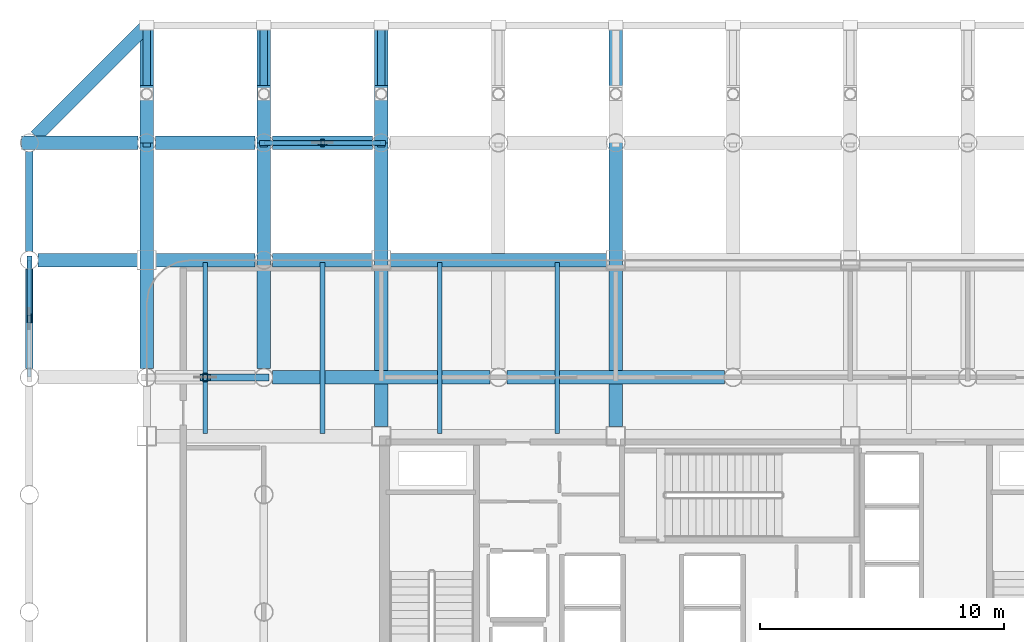
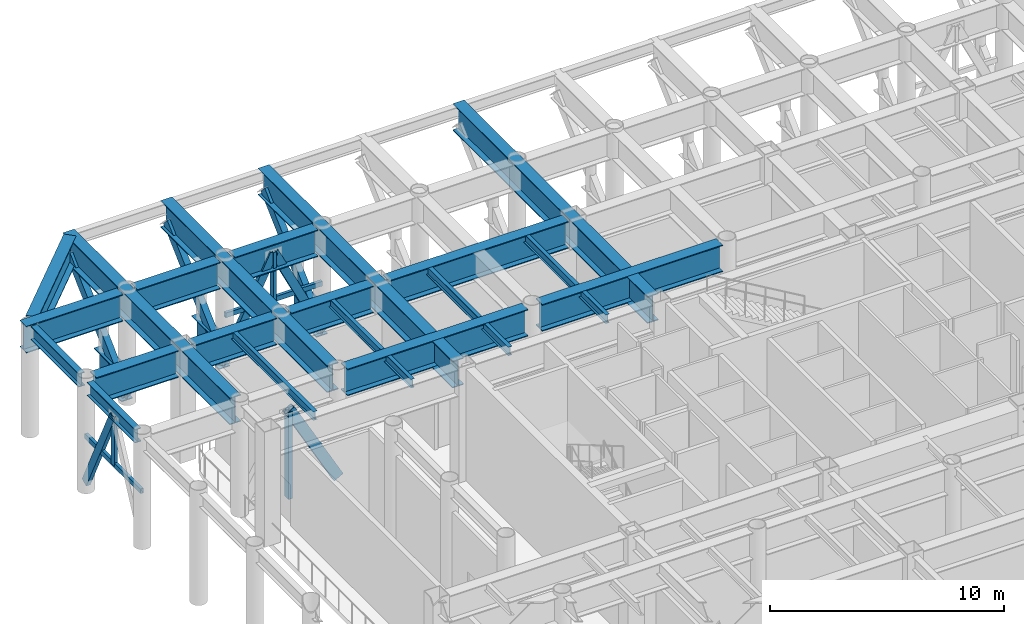
# One storey, part 8 of 19: 23 beams, 12 members.
"""IFC4 building model written with IfcOpenShell, lengths in metres."""

import ifcopenshell
import ifcopenshell.guid

model = None  # the IFC model being written
_history = None  # IfcOwnerHistory: only IFC2X3 demands one
_inside = {}  # id of a spatial element -> (the spatial element, [elements in it])
_under = {}  # id of a project, library or spatial element -> (it, [spatial elements below it])
_declared = {}  # id of a project -> (the project, [libraries it declares])
_typed = {}  # id of a type object -> (the type object, [elements of that type])
_made_of = {}  # id of a material, layer set ... -> (it, [elements and type objects made of it])


def new_model(schema):
    """Start an empty IFC model of exactly this schema.

    Asked for "IFC4X3", IfcOpenShell would pick the latest addendum, in which some entities
    have other attributes; the version numbers below select the first issue.
    IFC2X3 requires an IfcOwnerHistory on every rooted entity: one is made here for all.
    """
    global model, _history
    if schema == "IFC4X3":
        model = ifcopenshell.file(schema_version=(4, 3, 0, 0))
    else:
        model = ifcopenshell.file(schema=schema)
    _inside.clear()
    _under.clear()
    _declared.clear()
    _typed.clear()
    _made_of.clear()
    _history = None
    if model.schema == "IFC2X3":
        org = make("IfcOrganization", Name="unknown")
        user = make(
            "IfcPersonAndOrganization",
            ThePerson=make("IfcPerson", FamilyName="unknown"),
            TheOrganization=org,
        )
        app = make(
            "IfcApplication",
            ApplicationDeveloper=org,
            Version="unknown",
            ApplicationFullName="unknown",
            ApplicationIdentifier="unknown",
        )
        _history = make(
            "IfcOwnerHistory",
            OwningUser=user,
            OwningApplication=app,
            ChangeAction="ADDED",
            CreationDate=0,
        )
    return model


def make(cls, **values):
    """One entity of the class cls with the attributes given. An attribute that is None is left unset."""
    return model.create_entity(
        cls, **{name: value for name, value in values.items() if value is not None}
    )


def rooted(cls, **values):
    """An entity with a GlobalId (a new one), such as an element, a storey or a relation."""
    return make(cls, GlobalId=ifcopenshell.guid.new(), OwnerHistory=_history, **values)


def si_unit(unit_type, name, prefix=None):
    """IfcSIUnit, for example si_unit("LENGTHUNIT", "METRE", prefix="MILLI")."""
    return make("IfcSIUnit", UnitType=unit_type, Prefix=prefix, Name=name)


def assignment(units):
    """IfcUnitAssignment: the units of a project."""
    return None if units is None else make("IfcUnitAssignment", Units=units)


def point(xyz):
    """IfcCartesianPoint."""
    return None if xyz is None else make("IfcCartesianPoint", Coordinates=xyz)


def direction(xyz):
    """IfcDirection."""
    return None if xyz is None else make("IfcDirection", DirectionRatios=xyz)


def frame(location, z_axis=None, x_axis=None):
    """IfcAxis2Placement3D, a coordinate frame: its origin and axes. An axis left out is left unset."""
    return make(
        "IfcAxis2Placement3D",
        Location=point(location),
        Axis=direction(z_axis),
        RefDirection=direction(x_axis),
    )


def frame_2d(location, x_axis=None):
    """IfcAxis2Placement2D, a coordinate frame in the plane: its origin and x axis."""
    return make(
        "IfcAxis2Placement2D", Location=point(location), RefDirection=direction(x_axis)
    )


def origin():
    """The frame at (0, 0, 0) with its axes left unset."""
    return frame((0.0, 0.0, 0.0))


def origin_2d():
    """The frame at (0, 0) in the plane with its x axis left unset."""
    return frame_2d((0.0, 0.0))


def place(relative_to, where):
    """IfcLocalPlacement: puts the frame where relative to a parent placement (None: the world)."""
    return make(
        "IfcLocalPlacement", PlacementRelTo=relative_to, RelativePlacement=where
    )


def context(
    kind, dimensions, precision=None, world=None, true_north=None, identifier=None
):
    """IfcGeometricRepresentationContext, for example the 3D "Model" context."""
    return make(
        "IfcGeometricRepresentationContext",
        ContextIdentifier=identifier,
        ContextType=kind,
        CoordinateSpaceDimension=dimensions,
        Precision=precision,
        WorldCoordinateSystem=world,
        TrueNorth=true_north,
    )


def subcontext(parent, identifier, kind, view, scale=None):
    """IfcGeometricRepresentationSubContext, for example "Body" below "Model"."""
    return make(
        "IfcGeometricRepresentationSubContext",
        ContextIdentifier=identifier,
        ContextType=kind,
        ParentContext=parent,
        TargetScale=scale,
        TargetView=view,
    )


def project(units=None, contexts=None):
    """IfcProject with its units and contexts."""
    return rooted(
        "IfcProject",
        Name="project",
        RepresentationContexts=contexts,
        UnitsInContext=assignment(units),
    )


def spatial(cls, under=None, at=None, **own):
    """A site, building, storey or space (cls), placed at a placement, below another one or the project."""
    s = rooted(cls, ObjectPlacement=at, **own)
    if under is not None:
        _under.setdefault(under.id(), (under, []))[1].append(s)
    return s


def profile(cls, at=None, kind="AREA", **sizes):
    """A parametric profile (cls). Its sizes go by their IFC names, for example OverallWidth=200.0."""
    return make(cls, ProfileType=kind, Position=at, **sizes)


def hollow_rectangle(**sizes):
    """IfcRectangleHollowProfileDef."""
    return profile("IfcRectangleHollowProfileDef", **sizes)


def i_section(**sizes):
    """IfcIShapeProfileDef."""
    return profile("IfcIShapeProfileDef", **sizes)


def extrude(swept, where, along, depth):
    """IfcExtrudedAreaSolid: the profile swept, set in the frame where, extruded along a direction by depth."""
    return make(
        "IfcExtrudedAreaSolid",
        SweptArea=swept,
        Position=where,
        ExtrudedDirection=direction(along),
        Depth=depth,
    )


def shape(context_of_items, identifier, shape_type, items):
    """IfcShapeRepresentation: the items that make up one representation, for example the "Body"."""
    return make(
        "IfcShapeRepresentation",
        ContextOfItems=context_of_items,
        RepresentationIdentifier=identifier,
        RepresentationType=shape_type,
        Items=items,
    )


def material(Name=None, Category=None):
    """IfcMaterial."""
    return make("IfcMaterial", Name=Name, Category=Category)


def material_profile(
    of_material, cross_section, Name=None, Category=None, Priority=None
):
    """IfcMaterialProfile: a cross section and its material."""
    return make(
        "IfcMaterialProfile",
        Name=Name,
        Material=of_material,
        Profile=cross_section,
        Priority=Priority,
        Category=Category,
    )


def profile_set(profiles, Name=None, composite=None):
    """IfcMaterialProfileSet."""
    return make(
        "IfcMaterialProfileSet",
        Name=Name,
        MaterialProfiles=profiles,
        CompositeProfile=composite,
    )


def made_of(thing, what):
    """Note that an element or type object is made of a material, layer set ...; save() writes the relation."""
    if what is not None:
        _made_of.setdefault(what.id(), (what, []))[1].append(thing)
    return thing


def type_object(cls, material=None, **own):
    """A type object (cls), such as IfcWallType, which elements share."""
    return made_of(rooted(cls, **own), material)


def element(
    cls,
    number,
    at=None,
    inside=None,
    cuts=None,
    type_object=None,
    material=None,
    context=None,
    identifier="Body",
    shape_type=None,
    held_by="IfcProductDefinitionShape",
    body=None,
    shapes=None,
    **own,
):
    """One element of the class cls, such as IfcWall. Its Tag is "e" and its number.

    at: its placement. inside: the storey or other place that contains it. cuts: it is an
    opening in that element (IfcRelVoidsElement). A single representation is given by context,
    identifier, shape_type and body (its items); several are given by shapes. held_by: the class
    of the entity that holds the representations. save() writes the other relations.
    """
    e = rooted(cls, Tag="e%d" % number, ObjectPlacement=at, **own)
    if body is not None:
        shapes = [shape(context, identifier, shape_type, body)]
    if shapes is not None:
        e.Representation = make(held_by, Representations=shapes)
    if inside is not None:
        _inside.setdefault(inside.id(), (inside, []))[1].append(e)
    if cuts is not None:
        rooted(
            "IfcRelVoidsElement", RelatingBuildingElement=cuts, RelatedOpeningElement=e
        )
    if type_object is not None:
        _typed.setdefault(type_object.id(), (type_object, []))[1].append(e)
    return made_of(e, material)


def aggregate(whole, parts):
    """IfcRelAggregates: a whole, such as a stair, and the parts it consists of."""
    return rooted("IfcRelAggregates", RelatingObject=whole, RelatedObjects=parts)


def save(model, path):
    """Write the relations noted so far, then the file.

    IfcRelAggregates (storeys below a building ...), IfcRelContainedInSpatialStructure (elements
    in a storey), IfcRelDefinesByType, IfcRelAssociatesMaterial and IfcRelDeclares: one each for
    every whole, place, type object, material and project.
    """
    for whole, parts in _under.values():
        aggregate(whole, parts)
    for where, things in _inside.values():
        rooted(
            "IfcRelContainedInSpatialStructure",
            RelatedElements=things,
            RelatingStructure=where,
        )
    for kind, things in _typed.values():
        rooted("IfcRelDefinesByType", RelatedObjects=things, RelatingType=kind)
    for what, things in _made_of.values():
        rooted("IfcRelAssociatesMaterial", RelatedObjects=things, RelatingMaterial=what)
    for by, libraries in _declared.values():
        rooted("IfcRelDeclares", RelatingContext=by, RelatedDefinitions=libraries)
    model.write(path)


model = new_model("IFC4")

# Units and contexts
model_context = context("Model", 3, precision=1e-05, world=origin(), true_north=direction((0.0, 1.0)))
body_context = subcontext(model_context, "Body", "Model", "MODEL_VIEW")
ifc_project = project(units=[si_unit("LENGTHUNIT", "METRE"), si_unit("AREAUNIT", "SQUARE_METRE"), si_unit("VOLUMEUNIT", "CUBIC_METRE"), si_unit("PLANEANGLEUNIT", "RADIAN"), si_unit("MASSUNIT", "GRAM", prefix="KILO")], contexts=[model_context])

# Site, building, storey
site_placement = place(None, origin())
site = spatial("IfcSite", under=ifc_project, at=site_placement, CompositionType="ELEMENT")
building_placement = place(site_placement, origin())
building = spatial("IfcBuilding", under=site, at=building_placement, Name="Kallvorn Hotel Tower", CompositionType="ELEMENT")
storey_placement = place(building_placement, frame((0.0, 0.0, 89.199951171875)))
storey = spatial("IfcBuildingStorey", under=building, at=storey_placement, Name="L21", CompositionType="ELEMENT", Elevation=89.199951171875)

# Beams
ifc_material_1 = material(Name="Structural steel S355JR", Category="steel")
ifc_material_profile_1 = material_profile(ifc_material_1, i_section(OverallWidth=0.300048828125, OverallDepth=0.699951171875, WebThickness=0.01708984375, FlangeThickness=0.031982421875, at=origin_2d()), Name="HE 700 B")
ifc_profile_set_1 = profile_set([ifc_material_profile_1], Name="Structural steel S355JR")
beam_type_1 = type_object("IfcBeamType", Name="BM_HE700B", PredefinedType="BEAM", material=ifc_profile_set_1)
for number, where, z_axis, x_axis, name in (
    (1, (-28.800048828125, 9.9560546875, 5.469970703125), (0.0, 1.0, 0.0), (-1.0, 0.0, 0.0), "L22 Primary Y-Girder 92"),
    (2, (-28.800048828125, 14.756103515625, 5.469970703125), (0.0, 1.0, 0.0), (-1.0, 0.0, 0.0), "L22 Primary Y-Girder 93"),
):
    element("IfcBeam", number, at=place(storey_placement, frame(where, z_axis=z_axis, x_axis=x_axis)), inside=storey, type_object=beam_type_1, Name=name, PredefinedType="BEAM", context=body_context, shape_type="SweptSolid", body=[
        extrude(i_section(OverallWidth=0.300048828125, OverallDepth=0.699951171875, WebThickness=0.01708984375, FlangeThickness=0.031982421875, at=origin_2d()), origin(), (0.0, 0.0, 1.0), 4.087890625),
    ])
ifc_material_2 = material(Name="Structural steel S355JR", Category="steel")
ifc_material_profile_2 = material_profile(ifc_material_2, i_section(OverallWidth=0.18994140625, OverallDepth=0.449951171875, WebThickness=0.009521484375, FlangeThickness=0.0146484375, at=origin_2d()), Name="IPE 450")
ifc_profile_set_2 = profile_set([ifc_material_profile_2], Name="Structural steel S355JR")
beam_type_2 = type_object("IfcBeamType", Name="BM_IPE450", PredefinedType="JOIST", material=ifc_profile_set_2)
for number, where, z_axis, x_axis, name in (
    (3, (-21.60009765625, 7.300048828125, 5.594970703125), (0.0, 1.0, 0.0), (-1.0, 0.0, 0.0), "L22 Secondary Composite Joist 206"),
    (4, (-16.800048828125, 7.300048828125, 5.594970703125), (0.0, 1.0, 0.0), (-1.0, 0.0, 0.0), "L22 Secondary Composite Joist 208"),
    (5, (-12.0, 7.300048828125, 5.594970703125), (0.0, 1.0, 0.0), (-1.0, 0.0, 0.0), "L22 Secondary Composite Joist 210"),
    (6, (-7.199951171875, 7.300048828125, 5.594970703125), (0.0, 1.0, 0.0), (-1.0, 0.0, 0.0), "L22 Secondary Composite Joist 212"),
):
    element("IfcBeam", number, at=place(storey_placement, frame(where, z_axis=z_axis, x_axis=x_axis)), inside=storey, type_object=beam_type_2, Name=name, PredefinedType="JOIST", context=body_context, shape_type="SweptSolid", body=[
        extrude(i_section(OverallWidth=0.18994140625, OverallDepth=0.449951171875, WebThickness=0.009521484375, FlangeThickness=0.0146484375, at=origin_2d()), origin(), (0.0, 0.0, 1.0), 7.0),
    ])
ifc_material_3 = material(Name="Structural steel S355JR", Category="steel")
ifc_material_profile_3 = material_profile(ifc_material_3, i_section(OverallWidth=0.550048828125, OverallDepth=1.39990234375, WebThickness=0.02490234375, FlangeThickness=0.044921875, at=origin_2d()), Name="PG 1400x550x25x45")
ifc_profile_set_3 = profile_set([ifc_material_profile_3], Name="Structural steel S355JR")
beam_type_3 = type_object("IfcBeamType", Name="BM_PG_1400", PredefinedType="BEAM", material=ifc_profile_set_3)
beam_1_placement = place(storey_placement, frame((-24.0, 9.970947265625, 5.1201171875), z_axis=(0.0, 1.0, 0.0), x_axis=(-1.0, 0.0, 0.0)))
element("IfcBeam", 7, at=beam_1_placement, inside=storey, type_object=beam_type_3, Name="L22 Continuous Cantilever Transfer Girder 01", PredefinedType="BEAM", context=body_context, shape_type="SweptSolid", body=[
    extrude(i_section(OverallWidth=0.550048828125, OverallDepth=1.39990234375, WebThickness=0.02490234375, FlangeThickness=0.044921875, at=origin_2d()), origin(), (0.0, 0.0, 1.0), 14.208984375),
])
beam_2_placement = place(storey_placement, frame((-24.0, 19.199951171875, 0.719970703125), z_axis=(0.0, 1.0, 0.0), x_axis=(-1.0, 0.0, 0.0)))
element("IfcBeam", 8, at=beam_2_placement, inside=storey, type_object=beam_type_3, Name="L22 Cantilever Haunch Corbel 01", PredefinedType="BEAM", context=body_context, shape_type="SweptSolid", body=[
    extrude(i_section(OverallWidth=0.550048828125, OverallDepth=1.39990234375, WebThickness=0.02490234375, FlangeThickness=0.044921875, at=origin_2d()), origin(), (0.0, 0.0, 1.0), 2.35009765625),
])
beam_3_placement = place(storey_placement, frame((-19.199951171875, 9.970947265625, 5.1201171875), z_axis=(0.0, 1.0, 0.0), x_axis=(-1.0, 0.0, 0.0)))
element("IfcBeam", 9, at=beam_3_placement, inside=storey, type_object=beam_type_3, Name="L22 Continuous Cantilever Transfer Girder 02", PredefinedType="BEAM", context=body_context, shape_type="SweptSolid", body=[
    extrude(i_section(OverallWidth=0.550048828125, OverallDepth=1.39990234375, WebThickness=0.02490234375, FlangeThickness=0.044921875, at=origin_2d()), origin(), (0.0, 0.0, 1.0), 14.208984375),
])
beam_4_placement = place(storey_placement, frame((-19.199951171875, 19.199951171875, 0.719970703125), z_axis=(0.0, 1.0, 0.0), x_axis=(-1.0, 0.0, 0.0)))
element("IfcBeam", 10, at=beam_4_placement, inside=storey, type_object=beam_type_3, Name="L22 Cantilever Haunch Corbel 02", PredefinedType="BEAM", context=body_context, shape_type="SweptSolid", body=[
    extrude(i_section(OverallWidth=0.550048828125, OverallDepth=1.39990234375, WebThickness=0.02490234375, FlangeThickness=0.044921875, at=origin_2d()), origin(), (0.0, 0.0, 1.0), 2.35009765625),
])
beam_5_placement = place(storey_placement, frame((-14.39990234375, 7.590087890625, 5.1201171875), z_axis=(0.0, 1.0, 0.0), x_axis=(-1.0, 0.0, 0.0)))
element("IfcBeam", 11, at=beam_5_placement, inside=storey, type_object=beam_type_3, Name="L22 Continuous Cantilever Transfer Girder 03", PredefinedType="BEAM", context=body_context, shape_type="SweptSolid", body=[
    extrude(i_section(OverallWidth=0.550048828125, OverallDepth=1.39990234375, WebThickness=0.02490234375, FlangeThickness=0.044921875, at=origin_2d()), origin(), (0.0, 0.0, 1.0), 16.58984375),
])
beam_6_placement = place(storey_placement, frame((-14.39990234375, 19.199951171875, 0.719970703125), z_axis=(0.0, 1.0, 0.0), x_axis=(-1.0, 0.0, 0.0)))
element("IfcBeam", 12, at=beam_6_placement, inside=storey, type_object=beam_type_3, Name="L22 Cantilever Haunch Corbel 03", PredefinedType="BEAM", context=body_context, shape_type="SweptSolid", body=[
    extrude(i_section(OverallWidth=0.550048828125, OverallDepth=1.39990234375, WebThickness=0.02490234375, FlangeThickness=0.044921875, at=origin_2d()), origin(), (0.0, 0.0, 1.0), 2.35009765625),
])
beam_7_placement = place(storey_placement, frame((-4.800048828125, 7.590087890625, 5.1201171875), z_axis=(0.0, 1.0, 0.0), x_axis=(-1.0, 0.0, 0.0)))
element("IfcBeam", 13, at=beam_7_placement, inside=storey, type_object=beam_type_3, Name="L22 Continuous Cantilever Transfer Girder 05", PredefinedType="BEAM", context=body_context, shape_type="SweptSolid", body=[
    extrude(i_section(OverallWidth=0.550048828125, OverallDepth=1.39990234375, WebThickness=0.02490234375, FlangeThickness=0.044921875, at=origin_2d()), origin(), (0.0, 0.0, 1.0), 16.58984375),
])
for number, where, z_axis, x_axis, name in (
    (14, (-18.843994140625, 9.60009765625, 5.1201171875), (1.0, 0.0, 0.0), (0.0, 1.0, 0.0), "L22 Primary X-Girder 57"),
    (15, (-9.243896484375, 9.60009765625, 5.1201171875), (1.0, 0.0, 0.0), (0.0, 1.0, 0.0), "L22 Primary X-Girder 58"),
):
    element("IfcBeam", number, at=place(storey_placement, frame(where, z_axis=z_axis, x_axis=x_axis)), inside=storey, type_object=beam_type_3, Name=name, PredefinedType="BEAM", context=body_context, shape_type="SweptSolid", body=[
        extrude(i_section(OverallWidth=0.550048828125, OverallDepth=1.39990234375, WebThickness=0.02490234375, FlangeThickness=0.044921875, at=origin_2d()), origin(), (0.0, 0.0, 1.0), 8.887939453125),
    ])
for number, where, z_axis, x_axis, name in (
    (16, (-28.444091796875, 14.39990234375, 5.1201171875), (1.0, 0.0, 0.0), (0.0, 1.0, 0.0), "L22 Primary X-Girder 64"),
    (17, (-23.625, 14.39990234375, 5.1201171875), (1.0, 0.0, 0.0), (0.0, 1.0, 0.0), "L22 Primary X-Girder 65"),
    (18, (-18.843994140625, 14.39990234375, 5.1201171875), (1.0, 0.0, 0.0), (0.0, 1.0, 0.0), "L22 Primary X-Girder 66"),
):
    element("IfcBeam", number, at=place(storey_placement, frame(where, z_axis=z_axis, x_axis=x_axis)), inside=storey, type_object=beam_type_3, Name=name, PredefinedType="BEAM", context=body_context, shape_type="SweptSolid", body=[
        extrude(i_section(OverallWidth=0.550048828125, OverallDepth=1.39990234375, WebThickness=0.02490234375, FlangeThickness=0.044921875, at=origin_2d()), origin(), (0.0, 0.0, 1.0), 4.069091796875),
    ])
beam_8_placement = place(storey_placement, frame((-14.02490234375, 14.39990234375, 5.1201171875), z_axis=(1.0, 0.0, 0.0), x_axis=(0.0, 1.0, 0.0)))
element("IfcBeam", 19, at=beam_8_placement, inside=storey, type_object=beam_type_3, Name="L22 Primary X-Girder 67", PredefinedType="BEAM", context=body_context, shape_type="SweptSolid", body=[
    extrude(i_section(OverallWidth=0.550048828125, OverallDepth=1.39990234375, WebThickness=0.02490234375, FlangeThickness=0.044921875, at=origin_2d()), origin(), (0.0, 0.0, 1.0), 8.849853515625),
])
beam_9_placement = place(storey_placement, frame((-29.1201171875, 19.199951171875, 5.1201171875), z_axis=(1.0, 0.0, 0.0), x_axis=(0.0, 1.0, 0.0)))
element("IfcBeam", 20, at=beam_9_placement, inside=storey, type_object=beam_type_3, Name="L22 Primary X-Girder 74", PredefinedType="BEAM", context=body_context, shape_type="SweptSolid", body=[
    extrude(i_section(OverallWidth=0.550048828125, OverallDepth=1.39990234375, WebThickness=0.02490234375, FlangeThickness=0.044921875, at=origin_2d()), origin(), (0.0, 0.0, 1.0), 4.76416015625),
])
beam_10_placement = place(storey_placement, frame((-23.64404296875, 19.199951171875, 5.1201171875), z_axis=(1.0, 0.0, 0.0), x_axis=(0.0, 1.0, 0.0)))
element("IfcBeam", 21, at=beam_10_placement, inside=storey, type_object=beam_type_3, Name="L22 Primary X-Girder 75", PredefinedType="BEAM", context=body_context, shape_type="SweptSolid", body=[
    extrude(i_section(OverallWidth=0.550048828125, OverallDepth=1.39990234375, WebThickness=0.02490234375, FlangeThickness=0.044921875, at=origin_2d()), origin(), (0.0, 0.0, 1.0), 4.088134765625),
])
beam_11_placement = place(storey_placement, frame((-18.843994140625, 19.199951171875, 5.1201171875), z_axis=(1.0, 0.0, 0.0), x_axis=(0.0, 1.0, 0.0)))
element("IfcBeam", 22, at=beam_11_placement, inside=storey, type_object=beam_type_3, Name="L22 Primary X-Girder 76", PredefinedType="BEAM", context=body_context, shape_type="SweptSolid", body=[
    extrude(i_section(OverallWidth=0.550048828125, OverallDepth=1.39990234375, WebThickness=0.02490234375, FlangeThickness=0.044921875, at=origin_2d()), origin(), (0.0, 0.0, 1.0), 4.087890625),
])
beam_12_placement = place(storey_placement, frame((-28.53759765625, 19.46240234375, 5.1201171875), z_axis=(0.707106781187, 0.707106781187, 0.0), x_axis=(-0.707106781187, 0.707106781187, 0.0)))
element("IfcBeam", 23, at=beam_12_placement, inside=storey, type_object=beam_type_3, Name="L22 Rounded Corner Tie Beam 202", PredefinedType="BEAM", context=body_context, shape_type="SweptSolid", body=[
    extrude(i_section(OverallWidth=0.550048828125, OverallDepth=1.39990234375, WebThickness=0.02490234375, FlangeThickness=0.044921875, at=origin_2d()), origin(), (0.0, 0.0, 1.0), 6.266845703125),
])

# Members
ifc_material_4 = material(Name="Structural steel S355J2H", Category="steel")
ifc_material_profile_4 = material_profile(ifc_material_4, hollow_rectangle(XDim=0.199951171875, YDim=0.39990234375, WallThickness=0.02001953125, at=origin_2d()), Name="RHS 400x200x20")
ifc_profile_set_4 = profile_set([ifc_material_profile_4], Name="Structural steel S355J2H")
member_type_1 = type_object("IfcMemberType", Name="MBR_BELT_RHS400", PredefinedType="BRACE", material=ifc_profile_set_4)
member_1_placement = place(storey_placement, frame((-19.191162109375, 19.199951171875, 0.3681640625), z_axis=(0.439148786384, 0.0, 0.898414349517), x_axis=(0.0, 1.0, 0.0)))
element("IfcMember", 24, at=member_1_placement, inside=storey, type_object=member_type_1, Name="L21 Belt Truss Diagonal 3A", PredefinedType="BRACE", context=body_context, shape_type="SweptSolid", body=[
    extrude(hollow_rectangle(XDim=0.199951171875, YDim=0.39990234375, WallThickness=0.02001953125, at=origin_2d()), origin(), (0.0, 0.0, 1.0), 5.4248046875),
])
member_2_placement = place(storey_placement, frame((-14.40869140625, 19.199951171875, 0.3681640625), z_axis=(-0.439185110191, 0.0, 0.898396593374), x_axis=(0.0, -1.0, 0.0)))
element("IfcMember", 25, at=member_2_placement, inside=storey, type_object=member_type_1, Name="L21 Belt Truss Diagonal 3B", PredefinedType="BRACE", context=body_context, shape_type="SweptSolid", body=[
    extrude(hollow_rectangle(XDim=0.199951171875, YDim=0.39990234375, WallThickness=0.02001953125, at=origin_2d()), origin(), (0.0, 0.0, 1.0), 5.425048828125),
])
member_3_placement = place(storey_placement, frame((-28.800048828125, 14.39111328125, 0.3681640625), z_axis=(0.0, -0.439148786384, 0.898414349517), x_axis=(1.0, 0.0, 0.0)))
element("IfcMember", 26, at=member_3_placement, inside=storey, type_object=member_type_1, Name="L21 Belt Truss Diagonal 6B", PredefinedType="BRACE", context=body_context, shape_type="SweptSolid", body=[
    extrude(hollow_rectangle(XDim=0.199951171875, YDim=0.39990234375, WallThickness=0.02001953125, at=origin_2d()), origin(), (0.0, 0.0, 1.0), 5.4248046875),
])
ifc_material_5 = material(Name="Structural steel S355J2H", Category="steel")
ifc_material_profile_5 = material_profile(ifc_material_5, hollow_rectangle(XDim=0.14990234375, YDim=0.25, WallThickness=0.010009765625, at=origin_2d()), Name="RHS 250x150x10")
ifc_profile_set_5 = profile_set([ifc_material_profile_5], Name="Structural steel S355J2H")
member_type_2 = type_object("IfcMemberType", Name="MBR_COLLAR_RHS250", PredefinedType="COLLAR", material=ifc_profile_set_5)
member_4_placement = place(storey_placement, frame((-19.179931640625, 19.199951171875, 2.78515625), z_axis=(1.0, 0.0, 0.0), x_axis=(0.0, 1.0, 0.0)))
element("IfcMember", 27, at=member_4_placement, inside=storey, type_object=member_type_2, Name="L21 Belt Truss Tie Collar 3", PredefinedType="COLLAR", context=body_context, shape_type="SweptSolid", body=[
    extrude(hollow_rectangle(XDim=0.14990234375, YDim=0.25, WallThickness=0.010009765625, at=origin_2d()), origin(), (0.0, 0.0, 1.0), 4.760009765625),
])
member_5_placement = place(storey_placement, frame((-28.800048828125, 9.6201171875, 2.78515625), z_axis=(0.0, 1.0, 0.0), x_axis=(-1.0, 0.0, 0.0)))
element("IfcMember", 28, at=member_5_placement, inside=storey, type_object=member_type_2, Name="L21 Belt Truss Tie Collar 6", PredefinedType="COLLAR", context=body_context, shape_type="SweptSolid", body=[
    extrude(hollow_rectangle(XDim=0.14990234375, YDim=0.25, WallThickness=0.010009765625, at=origin_2d()), origin(), (0.0, 0.0, 1.0), 4.759765625),
])
ifc_material_6 = material(Name="Structural steel S355J2H", Category="steel")
ifc_material_profile_6 = material_profile(ifc_material_6, hollow_rectangle(XDim=0.300048828125, YDim=0.5, WallThickness=0.02490234375, at=origin_2d()), Name="RHS 500x300x25")
ifc_profile_set_6 = profile_set([ifc_material_profile_6], Name="Structural steel S355J2H")
member_type_3 = type_object("IfcMemberType", Name="MBR_OUTRIGGER_RHS500", PredefinedType="BRACE", material=ifc_profile_set_6)
for number, where, z_axis, x_axis, name in (
    (29, (-24.0, 19.199951171875, 0.25), (0.0, 0.728023860888, 0.685551790879), (-1.0, 0.0, 0.0), "L22 Exoskeleton Cantilever Raking Strut 01"),
    (30, (-19.199951171875, 19.199951171875, 0.25), (0.0, 0.728023860888, 0.685551790879), (-1.0, 0.0, 0.0), "L22 Exoskeleton Cantilever Raking Strut 02"),
    (31, (-14.39990234375, 19.199951171875, 0.25), (0.0, 0.728023860888, 0.685551790879), (-1.0, 0.0, 0.0), "L22 Exoskeleton Cantilever Raking Strut 03"),
):
    element("IfcMember", number, at=place(storey_placement, frame(where, z_axis=z_axis, x_axis=x_axis)), inside=storey, type_object=member_type_3, Name=name, PredefinedType="BRACE", context=body_context, shape_type="SweptSolid", body=[
        extrude(hollow_rectangle(XDim=0.300048828125, YDim=0.5, WallThickness=0.02490234375, at=origin_2d()), origin(), (0.0, 0.0, 1.0), 6.59326171875),
    ])
member_6_placement = place(storey_placement, frame((-19.199951171875, 9.60009765625, 0.239990234375), z_axis=(-0.485659708735, 0.0, 0.874147955046), x_axis=(0.0, -1.0, 0.0)))
element("IfcMember", 32, at=member_6_placement, inside=storey, type_object=member_type_3, Name="L21 Outrigger Truss Diagonal OTW2B", PredefinedType="BRACE", context=body_context, shape_type="SweptSolid", body=[
    extrude(hollow_rectangle(XDim=0.300048828125, YDim=0.5, WallThickness=0.02490234375, at=origin_2d()), origin(), (0.0, 0.0, 1.0), 4.942138671875),
])
ifc_material_7 = material(Name="Structural steel S355J2H", Category="steel")
ifc_material_profile_7 = material_profile(ifc_material_7, hollow_rectangle(XDim=0.199951171875, YDim=0.35009765625, WallThickness=0.01611328125, at=origin_2d()), Name="RHS 350x200x16")
ifc_profile_set_7 = profile_set([ifc_material_profile_7], Name="Structural steel S355J2H")
member_type_4 = type_object("IfcMemberType", Name="MBR_POST_RHS350", PredefinedType="POST", material=ifc_profile_set_7)
member_7_placement = place(storey_placement, frame((-21.60009765625, 9.60009765625, -0.0400390625), z_axis=(0.0, 0.0, 1.0), x_axis=(1.0, 0.0, 0.0)))
element("IfcMember", 33, at=member_7_placement, inside=storey, type_object=member_type_4, Name="L21 Outrigger Truss Post OTW2", PredefinedType="POST", context=body_context, shape_type="SweptSolid", body=[
    extrude(hollow_rectangle(XDim=0.199951171875, YDim=0.35009765625, WallThickness=0.01611328125, at=origin_2d()), origin(), (0.0, 0.0, 1.0), 4.5400390625),
])
ifc_material_8 = material(Name="Structural steel S355J2H", Category="steel")
ifc_material_profile_8 = material_profile(ifc_material_8, hollow_rectangle(XDim=0.14990234375, YDim=0.300048828125, WallThickness=0.012451171875, at=origin_2d()), Name="RHS 300x150x12.5")
ifc_profile_set_8 = profile_set([ifc_material_profile_8], Name="Structural steel S355J2H")
member_type_5 = type_object("IfcMemberType", Name="MBR_STRUT_RHS300", PredefinedType="STRUT", material=ifc_profile_set_8)
for number, where, z_axis, x_axis, name in (
    (34, (-16.800048828125, 19.199951171875, 2.735107421875), (0.0, 0.0, 1.0), (1.0, 0.0, 0.0), "L21 Belt Truss Strut 3"),
    (35, (-28.800048828125, 12.0, 2.735107421875), (0.0, 0.0, 1.0), (1.0, 0.0, 0.0), "L21 Belt Truss Strut 6"),
):
    element("IfcMember", number, at=place(storey_placement, frame(where, z_axis=z_axis, x_axis=x_axis)), inside=storey, type_object=member_type_5, Name=name, PredefinedType="STRUT", context=body_context, shape_type="SweptSolid", body=[
        extrude(hollow_rectangle(XDim=0.14990234375, YDim=0.300048828125, WallThickness=0.012451171875, at=origin_2d()), origin(), (0.0, 0.0, 1.0), 2.56494140625),
    ])

save(model, "model.ifc")
